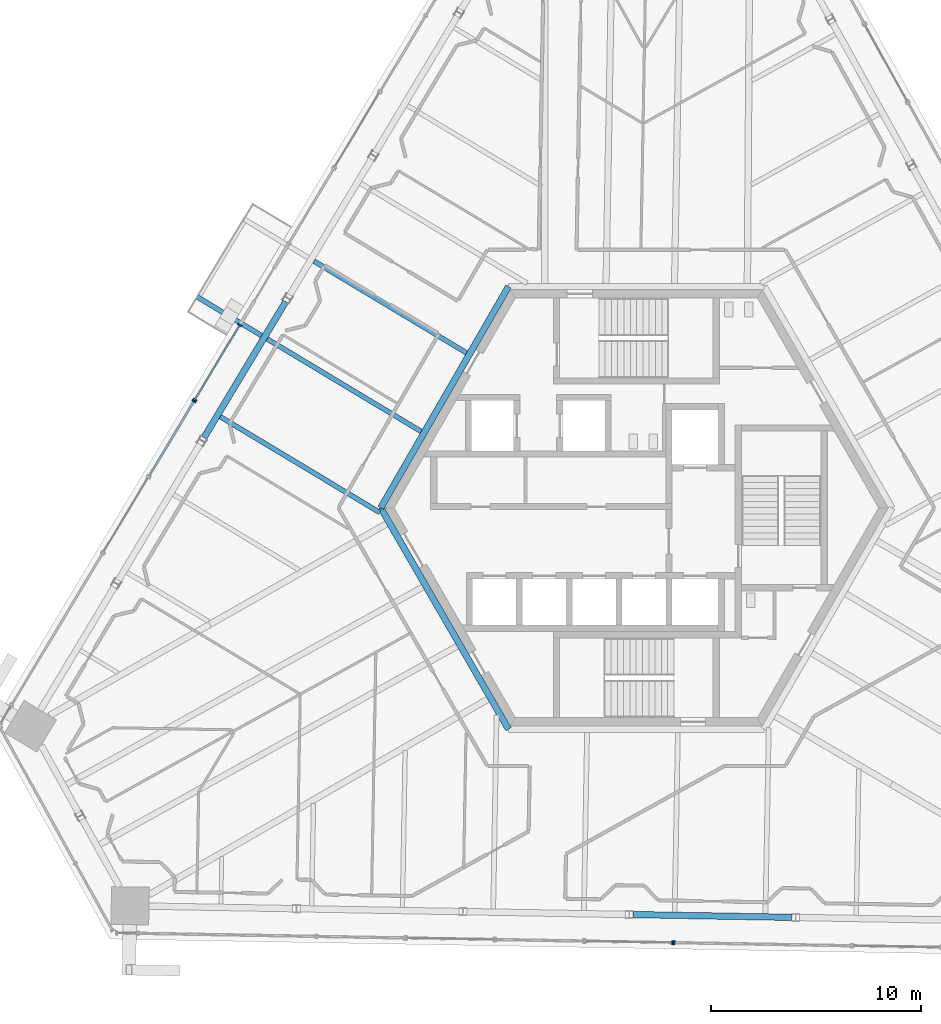
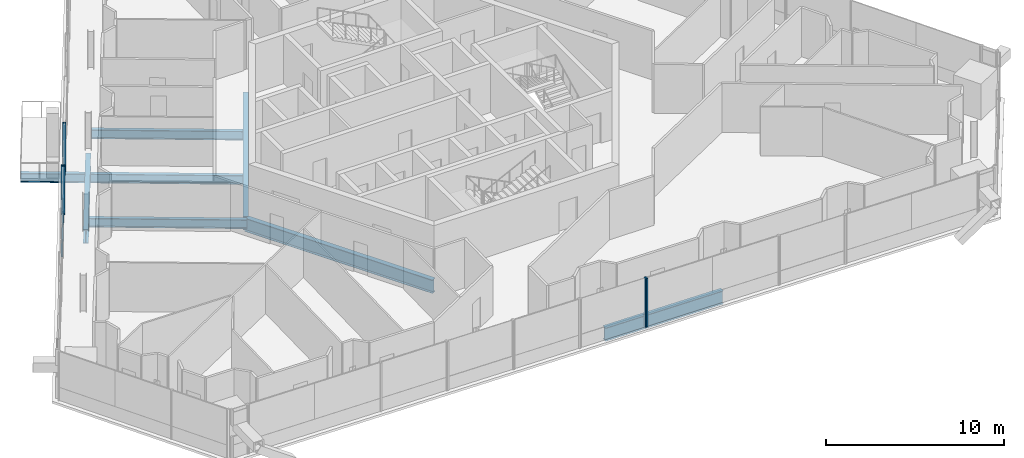
# One storey, part 6 of 24: 8 beams, 7 members, 4 elements without a shape of their own.
"""IFC4 building model written with IfcOpenShell, lengths in metres."""

from ifc_helpers import new_model, si_unit, direction, frame, origin, origin_2d, place, context, subcontext, project, spatial, rectangle, i_section, extrude, source, transform, mapped, material, material_profile, profile_set, type_object, element, aggregate, save


model = new_model("IFC4")

# Units and contexts
model_context = context("Model", 3, precision=1e-05, world=origin(), true_north=direction((0.0, 1.0)))
body_context = subcontext(model_context, "Body", "Model", "MODEL_VIEW")
ifc_project = project(units=[si_unit("LENGTHUNIT", "METRE"), si_unit("AREAUNIT", "SQUARE_METRE"), si_unit("VOLUMEUNIT", "CUBIC_METRE"), si_unit("PLANEANGLEUNIT", "RADIAN"), si_unit("MASSUNIT", "GRAM", prefix="KILO")], contexts=[model_context])

# Site, building, storey
site_placement = place(None, origin())
site = spatial("IfcSite", under=ifc_project, at=site_placement, CompositionType="ELEMENT")
building_placement = place(site_placement, origin())
building = spatial("IfcBuilding", under=site, at=building_placement, Name="Triune Harvest Tower", CompositionType="ELEMENT")
storey_placement = place(building_placement, frame((0.0, 0.0, 212.300048828125)))
storey = spatial("IfcBuildingStorey", under=building, at=storey_placement, Name="L55", CompositionType="ELEMENT", Elevation=212.300048828125)

# Curtain wall, member
ifc_material_1 = material(Name="Aluminium bronze anodised", Category="aluminium")
curtain_wall_type_1 = type_object("IfcCurtainWallType", Name="CW-10 Balcony window wall with insulated spandrel infill", PredefinedType="NOTDEFINED", material=ifc_material_1)
curtain_wall_1_placement = place(storey_placement, origin())
curtain_wall_1 = element("IfcCurtainWall", 1, at=curtain_wall_1_placement, inside=storey, type_object=curtain_wall_type_1, Name="CW-10 B5-F3 L55 run 1002")
ifc_material_2 = material(Name="Aluminium bronze anodised", Category="aluminium")
ifc_material_profile_1 = material_profile(ifc_material_2, rectangle(XDim=0.090087890625, YDim=0.14990234375, at=origin_2d()), Name="TR-6 transom 90 x 150")
ifc_profile_set_1 = profile_set([ifc_material_profile_1], Name="Aluminium bronze anodised")
member_type_1 = type_object("IfcMemberType", Name="TR-6 transom 90 x 150", PredefinedType="USERDEFINED", material=ifc_profile_set_1)
member_1_placement = place(storey_placement, frame((-21.09130859375, 5.044921875, 0.074951171875), z_axis=(-0.515014410687, -0.857181519157, 0.0), x_axis=(0.857181519157, -0.515014410687, 0.0)))
member_1 = element("IfcMember", 2, at=member_1_placement, type_object=member_type_1, Name="CW-10 transom B5-F3 1002.1", ObjectType="TRANSOM", PredefinedType="USERDEFINED", context=body_context, shape_type="SweptSolid", body=[
    extrude(rectangle(XDim=0.090087890625, YDim=0.14990234375, at=origin_2d()), origin(), (0.0, 0.0, 1.0), 4.08349609375),
])

# Beams
ifc_material_3 = material(Name="Steel ASTM A992 Gr 50", Category="steel")
ifc_material_profile_2 = material_profile(ifc_material_3, i_section(OverallWidth=0.3046875, OverallDepth=0.914306640625, WebThickness=0.0166015625, FlangeThickness=0.02587890625, at=origin_2d()), Name="W36x160")
ifc_profile_set_2 = profile_set([ifc_material_profile_2], Name="Steel ASTM A992 Gr 50")
beam_type_1 = type_object("IfcBeamType", Name="CG-1 Core ring girder W36x160", PredefinedType="BEAM", material=ifc_profile_set_2)
shared_shape_1 = source(origin(), body_context, "Body", "SweptSolid", [
    extrude(i_section(OverallWidth=0.3046875, OverallDepth=0.914306640625, WebThickness=0.0166015625, FlangeThickness=0.02587890625, at=origin_2d()), origin(), (0.0, 0.0, 1.0), 12.176025390625),
])
for number, where, z_axis, x_axis, name in (
    (3, (-6.087890625, 10.544677734375, -0.6171875), (-0.5000099932, -0.866019634131, 0.0), (0.866019634131, -0.5000099932, 0.0), "beam/L55/CG3"),
    (4, (-12.176025390625, 0.0, -0.6171875), (0.5000099932, -0.866019634131, 0.0), (0.866019634131, 0.5000099932, 0.0), "beam/L55/CG4"),
):
    element("IfcBeam", number, at=place(storey_placement, frame(where, z_axis=z_axis, x_axis=x_axis)), inside=storey, type_object=beam_type_1, Name=name, PredefinedType="BEAM", context=body_context, shape_type="MappedRepresentation", body=[
        mapped(shared_shape_1, transform((0.0, 0.0, 0.0), scale=1.0)),
    ])
ifc_material_4 = material(Name="Steel ASTM A992 Gr 50", Category="steel")
ifc_material_profile_3 = material_profile(ifc_material_4, i_section(OverallWidth=0.3046875, OverallDepth=0.914306640625, WebThickness=0.0166015625, FlangeThickness=0.02587890625, at=origin_2d()), Name="W36x160")
ifc_profile_set_3 = profile_set([ifc_material_profile_3], Name="Steel ASTM A992 Gr 50")
beam_type_2 = type_object("IfcBeamType", Name="SB-1 Spandrel beam W36x160", PredefinedType="SPANDREL", material=ifc_profile_set_3)
shared_shape_2 = source(origin(), body_context, "Body", "SweptSolid", [
    extrude(i_section(OverallWidth=0.3046875, OverallDepth=0.914306640625, WebThickness=0.0166015625, FlangeThickness=0.02587890625, at=origin_2d()), origin(), (0.0, 0.0, 1.0), 7.556396484375),
])
beam_1_placement = place(storey_placement, frame((-16.702880859375, 9.81982421875, -0.6171875), z_axis=(-0.515065795781, -0.857150643712, 0.0), x_axis=(0.857150643712, -0.515065795781, 0.0)))
element("IfcBeam", 5, at=beam_1_placement, inside=storey, type_object=beam_type_2, Name="beam/L55/SB12", PredefinedType="SPANDREL", context=body_context, shape_type="MappedRepresentation", body=[
    mapped(shared_shape_2, transform((0.0, 0.0, 0.0), scale=1.0)),
])
shared_shape_3 = source(origin(), body_context, "Body", "SweptSolid", [
    extrude(i_section(OverallWidth=0.3046875, OverallDepth=0.914306640625, WebThickness=0.0166015625, FlangeThickness=0.02587890625, at=origin_2d()), origin(), (0.0, 0.0, 1.0), 7.556640625),
])
beam_2_placement = place(storey_placement, frame((-0.15283203125, -19.375244140625, -0.6171875), z_axis=(0.999847797686, -0.017446531514, 0.0), x_axis=(0.017446531514, 0.999847797686, 0.0)))
element("IfcBeam", 6, at=beam_2_placement, inside=storey, type_object=beam_type_2, Name="beam/L55/SB20", PredefinedType="SPANDREL", context=body_context, shape_type="MappedRepresentation", body=[
    mapped(shared_shape_3, transform((0.0, 0.0, 0.0), scale=1.0)),
])
ifc_material_5 = material(Name="Steel ASTM A992 Gr 50", Category="steel")
ifc_material_profile_4 = material_profile(ifc_material_5, i_section(OverallWidth=0.22900390625, OverallDepth=0.612060546875, WebThickness=0.011962890625, FlangeThickness=0.01953125, at=origin_2d()), Name="W24x84")
ifc_profile_set_4 = profile_set([ifc_material_profile_4], Name="Steel ASTM A992 Gr 50")
beam_type_3 = type_object("IfcBeamType", Name="JT-3 Floor joist W24x84", PredefinedType="JOIST", material=ifc_profile_set_4)
shared_shape_4 = source(origin(), body_context, "Body", "SweptSolid", [
    extrude(i_section(OverallWidth=0.22900390625, OverallDepth=0.612060546875, WebThickness=0.011962890625, FlangeThickness=0.01953125, at=origin_2d()), origin(), (0.0, 0.0, 1.0), 8.85888671875),
])
beam_3_placement = place(storey_placement, frame((-19.8173828125, 4.3408203125, -0.466064453125), z_axis=(0.857174209269, -0.515026576948, 0.0), x_axis=(0.515026576948, 0.857174209269, 0.0)))
element("IfcBeam", 7, at=beam_3_placement, inside=storey, type_object=beam_type_3, Name="beam/L55/JT19", PredefinedType="JOIST", context=body_context, shape_type="MappedRepresentation", body=[
    mapped(shared_shape_4, transform((0.0, 0.0, 0.0), scale=1.0)),
])
shared_shape_5 = source(origin(), body_context, "Body", "SweptSolid", [
    extrude(i_section(OverallWidth=0.22900390625, OverallDepth=0.612060546875, WebThickness=0.011962890625, FlangeThickness=0.01953125, at=origin_2d()), origin(), (0.0, 0.0, 1.0), 8.48583984375),
])
beam_4_placement = place(storey_placement, frame((-15.36328125, 11.75341796875, -0.466064453125), z_axis=(0.857160193187, -0.515049903616, 0.0), x_axis=(0.515049903616, 0.857160193187, 0.0)))
element("IfcBeam", 8, at=beam_4_placement, inside=storey, type_object=beam_type_3, Name="beam/L55/JT17", PredefinedType="JOIST", context=body_context, shape_type="MappedRepresentation", body=[
    mapped(shared_shape_5, transform((0.0, 0.0, 0.0), scale=1.0)),
])
shared_shape_6 = source(origin(), body_context, "Body", "SweptSolid", [
    extrude(i_section(OverallWidth=0.22900390625, OverallDepth=0.612060546875, WebThickness=0.011962890625, FlangeThickness=0.01953125, at=origin_2d()), origin(), (0.0, 0.0, 1.0), 8.5615234375),
])
beam_5_placement = place(storey_placement, frame((-17.59033203125, 8.047119140625, -0.466064453125), z_axis=(0.857170691548, -0.515032431553, 0.0), x_axis=(0.515032431553, 0.857170691548, 0.0)))
element("IfcBeam", 9, at=beam_5_placement, inside=storey, type_object=beam_type_3, Name="beam/L55/JT18", PredefinedType="JOIST", context=body_context, shape_type="MappedRepresentation", body=[
    mapped(shared_shape_6, transform((0.0, 0.0, 0.0), scale=1.0)),
])
ifc_material_6 = material(Name="Steel ASTM A992 Gr 50", Category="steel")
ifc_material_profile_5 = material_profile(ifc_material_6, i_section(OverallWidth=0.22900390625, OverallDepth=0.612060546875, WebThickness=0.011962890625, FlangeThickness=0.01953125, at=origin_2d()), Name="W24x84")
ifc_profile_set_5 = profile_set([ifc_material_profile_5], Name="Steel ASTM A992 Gr 50")
beam_type_4 = type_object("IfcBeamType", Name="BJ-3 Balcony cantilever joist W24x84", PredefinedType="JOIST", material=ifc_profile_set_5)
shared_shape_7 = source(origin(), body_context, "Body", "SweptSolid", [
    extrude(i_section(OverallWidth=0.22900390625, OverallDepth=0.612060546875, WebThickness=0.011962890625, FlangeThickness=0.01953125, at=origin_2d()), origin(), (0.0, 0.0, 1.0), 3.59765625),
])
beam_6_placement = place(storey_placement, frame((-17.851806640625, 8.2041015625, -0.466064453125), z_axis=(-0.857181395869, 0.515014615886, 0.0), x_axis=(-0.515014615886, -0.857181395869, 0.0)))
element("IfcBeam", 10, at=beam_6_placement, inside=storey, type_object=beam_type_4, Name="Balcony cantilever joist B5-F3 L55.6b", PredefinedType="JOIST", context=body_context, shape_type="MappedRepresentation", body=[
    mapped(shared_shape_7, transform((0.0, 0.0, 0.0), scale=1.0)),
])

# Curtain wall, member
ifc_material_7 = material(Name="Aluminium bronze anodised", Category="aluminium")
curtain_wall_type_2 = type_object("IfcCurtainWallType", Name="CW-1 Tower stick curtain wall", PredefinedType="NOTDEFINED", material=ifc_material_7)
curtain_wall_2_placement = place(storey_placement, origin())
curtain_wall_2 = element("IfcCurtainWall", 11, at=curtain_wall_2_placement, inside=storey, type_object=curtain_wall_type_2, Name="CW-1 B5-F5 L55 run 3201")
ifc_material_8 = material(Name="Aluminium bronze anodised", Category="aluminium")
ifc_material_profile_6 = material_profile(ifc_material_8, rectangle(XDim=0.199951171875, YDim=0.074951171875, at=origin_2d()), Name="MU-1 mullion 75 x 200")
ifc_profile_set_6 = profile_set([ifc_material_profile_6], Name="Aluminium bronze anodised")
member_type_2 = type_object("IfcMemberType", Name="MU-1 mullion 75 x 200", PredefinedType="MULLION", material=ifc_profile_set_6)
shared_shape_8 = source(origin(), body_context, "Body", "SweptSolid", [
    extrude(rectangle(XDim=0.199951171875, YDim=0.074951171875, at=origin_2d()), origin(), (0.0, 0.0, 1.0), 3.349853515625),
])
member_2_placement = place(storey_placement, frame((1.728271484375, -20.71044921875, 0.0), z_axis=(0.0, 0.0, 1.0), x_axis=(0.017466534713, 0.999847448447, 0.0)))
member_2 = element("IfcMember", 12, at=member_2_placement, type_object=member_type_2, Name="CW-1 mullion B5-F5 3201.2", PredefinedType="MULLION", context=body_context, shape_type="MappedRepresentation", body=[
    mapped(shared_shape_8, transform((0.0, 0.0, 0.0), scale=1.0)),
])
aggregate(curtain_wall_2, [member_2])

ifc_material_9 = material(Name="Aluminium bronze anodised", Category="aluminium")
curtain_wall_type_3 = type_object("IfcCurtainWallType", Name="CW-7 Tower stick curtain wall with insulated spandrel infill", PredefinedType="NOTDEFINED", material=ifc_material_9)
curtain_wall_3_placement = place(storey_placement, origin())
curtain_wall_3 = element("IfcCurtainWall", 13, at=curtain_wall_3_placement, inside=storey, type_object=curtain_wall_type_3, Name="CW-7 B5-F5 L55 run 4201")
member_3_placement = place(storey_placement, frame((1.80322265625, -20.711669921875, 0.0), z_axis=(0.0, 0.0, 1.0), x_axis=(0.017454373979, 0.999847660811, 0.0)))
member_3 = element("IfcMember", 14, at=member_3_placement, type_object=member_type_2, Name="CW-7 mullion B5-F5 4201.1", PredefinedType="MULLION", context=body_context, shape_type="MappedRepresentation", body=[
    mapped(shared_shape_8, transform((0.0, 0.0, 0.0), scale=1.0)),
])
aggregate(curtain_wall_3, [member_3])

# Curtain wall, members
ifc_material_10 = material(Name="Aluminium bronze anodised", Category="aluminium")
curtain_wall_type_4 = type_object("IfcCurtainWallType", Name="CW-6 Balcony window wall", PredefinedType="NOTDEFINED", material=ifc_material_10)
curtain_wall_4_placement = place(storey_placement, origin())
curtain_wall_4 = element("IfcCurtainWall", 15, at=curtain_wall_4_placement, inside=storey, type_object=curtain_wall_type_4, Name="CW-6 B5-F3 L55 run 2")
ifc_material_11 = material(Name="Aluminium bronze anodised", Category="aluminium")
ifc_material_profile_7 = material_profile(ifc_material_11, rectangle(XDim=0.199951171875, YDim=0.074951171875, at=origin_2d()), Name="MU-6 mullion 75 x 200")
ifc_profile_set_7 = profile_set([ifc_material_profile_7], Name="Aluminium bronze anodised")
member_type_3 = type_object("IfcMemberType", Name="MU-6 mullion 75 x 200", PredefinedType="MULLION", material=ifc_profile_set_7)
shared_shape_9 = source(origin(), body_context, "Body", "SweptSolid", [
    extrude(rectangle(XDim=0.199951171875, YDim=0.074951171875, at=origin_2d()), origin(), (0.0, 0.0, 1.0), 3.349853515625),
])
member_4_placement = place(storey_placement, frame((-18.8916015625, 8.70556640625, 0.0), z_axis=(0.0, 0.0, 1.0), x_axis=(0.857165511361, -0.515041052863, 0.0)))
member_4 = element("IfcMember", 16, at=member_4_placement, type_object=member_type_3, Name="CW-6 mullion B5-F3 2.1", PredefinedType="MULLION", context=body_context, shape_type="MappedRepresentation", body=[
    mapped(shared_shape_9, transform((0.0, 0.0, 0.0), scale=1.0)),
])
member_5_placement = place(storey_placement, frame((-21.033447265625, 5.141357421875, 0.0), z_axis=(0.0, 0.0, 1.0), x_axis=(0.857165511361, -0.515041052863, 0.0)))
member_5 = element("IfcMember", 17, at=member_5_placement, type_object=member_type_3, Name="CW-6 mullion B5-F3 2.2", PredefinedType="MULLION", context=body_context, shape_type="MappedRepresentation", body=[
    mapped(shared_shape_9, transform((0.0, 0.0, 0.0), scale=1.0)),
])

# Member
member_6_placement = place(storey_placement, frame((-21.072021484375, 5.076904296875, 0.0), z_axis=(0.0, 0.0, 1.0), x_axis=(0.857171777444, -0.515030624286, 0.0)))
member_6 = element("IfcMember", 18, at=member_6_placement, type_object=member_type_3, Name="CW-10 mullion B5-F3 1002.1", PredefinedType="MULLION", context=body_context, shape_type="MappedRepresentation", body=[
    mapped(shared_shape_9, transform((0.0, 0.0, 0.0), scale=1.0)),
])

aggregate(curtain_wall_1, [member_6, member_1])

shared_shape_10 = source(origin(), body_context, "Body", "SweptSolid", [
    extrude(rectangle(XDim=0.090087890625, YDim=0.14990234375, at=origin_2d()), origin(), (0.0, 0.0, 1.0), 4.083251953125),
])
member_7_placement = place(storey_placement, frame((-18.9111328125, 8.67333984375, 0.074951171875), z_axis=(-0.515040805886, -0.85716565976, 0.0), x_axis=(0.85716565976, -0.515040805886, 0.0)))
member_7 = element("IfcMember", 19, at=member_7_placement, type_object=member_type_1, Name="CW-6 transom B5-F3 2.1", ObjectType="TRANSOM", PredefinedType="USERDEFINED", context=body_context, shape_type="MappedRepresentation", body=[
    mapped(shared_shape_10, transform((0.0, 0.0, 0.0), scale=1.0)),
])

aggregate(curtain_wall_4, [member_4, member_5, member_7])

save(model, "model.ifc")
